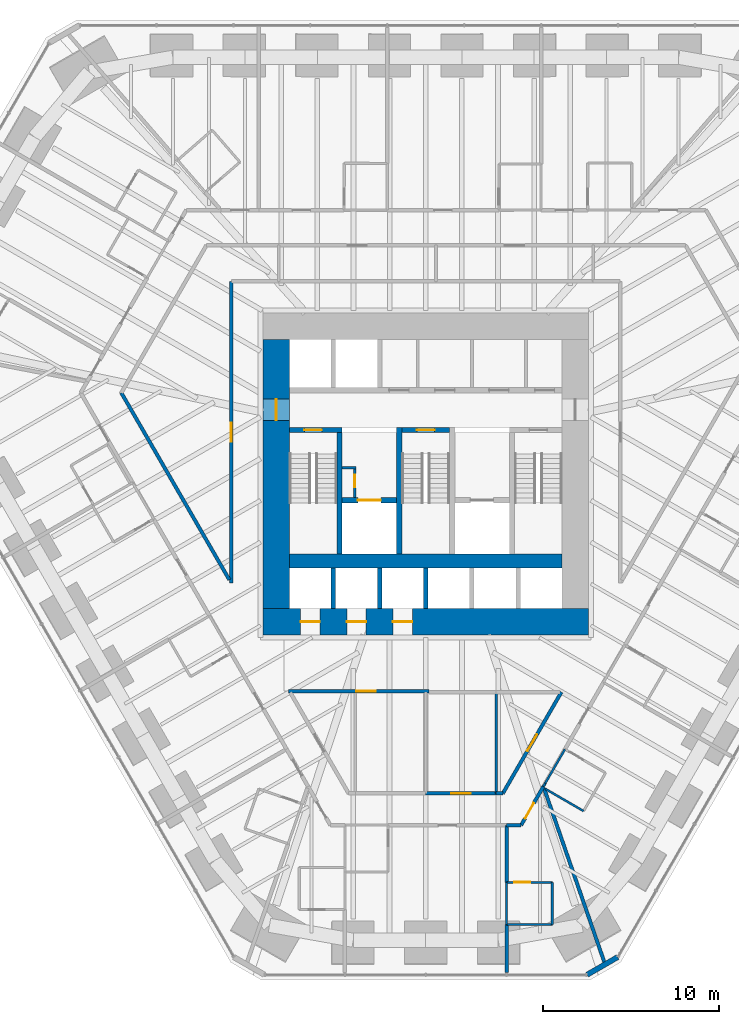
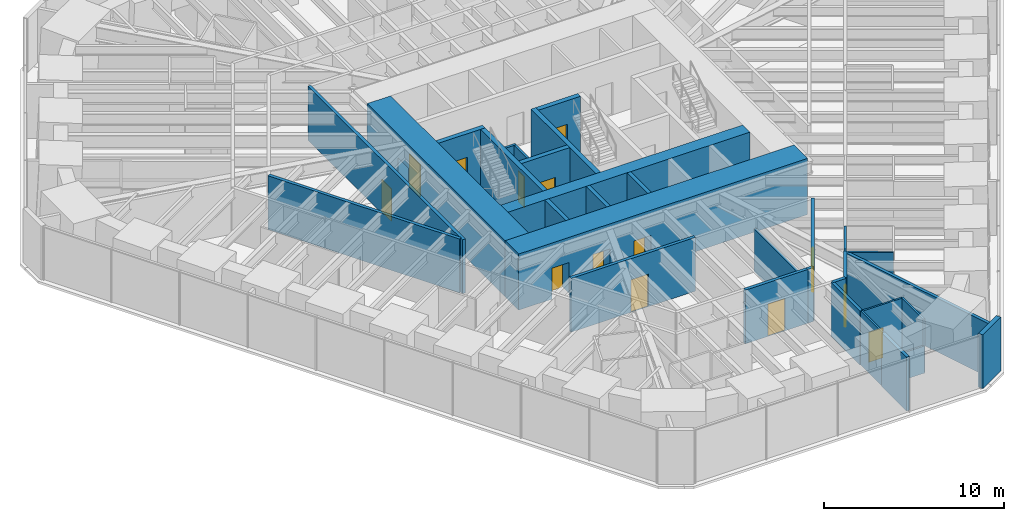
# One storey, part 12 of 17: 33 walls, 14 doors, 14 openings.
"""IFC4 building model written with IfcOpenShell, lengths in metres."""

from ifc_helpers import new_model, si_unit, direction, frame, frame_2d, origin, place, context, subcontext, project, spatial, rectangle, extrude, material, layer, layer_set, type_object, element, fill, save


model = new_model("IFC4")

# Units and contexts
model_context = context("Model", 3, precision=1e-05, world=origin(), true_north=direction((0.0, 1.0)))
body_context = subcontext(model_context, "Body", "Model", "MODEL_VIEW")
ifc_project = project(units=[si_unit("LENGTHUNIT", "METRE"), si_unit("AREAUNIT", "SQUARE_METRE"), si_unit("VOLUMEUNIT", "CUBIC_METRE"), si_unit("PLANEANGLEUNIT", "RADIAN"), si_unit("MASSUNIT", "GRAM", prefix="KILO")], contexts=[model_context])

# Site, building, storey
site_placement = place(None, origin())
site = spatial("IfcSite", under=ifc_project, at=site_placement, CompositionType="ELEMENT")
building_placement = place(site_placement, origin())
building = spatial("IfcBuilding", under=site, at=building_placement, Name="Sandreach Pilgrim Tower", CompositionType="ELEMENT")
storey_placement = place(building_placement, frame((0.0, 0.0, 68.60009765625)))
storey = spatial("IfcBuildingStorey", under=building, at=storey_placement, Name="L16", CompositionType="ELEMENT", Elevation=68.60009765625)

# Walls
ifc_material_1 = material(Name="Gypsum board on steel studs", Category="steel")
ifc_layer_1 = layer(ifc_material_1, 0.14990234375)
ifc_layer_set_1 = layer_set([ifc_layer_1], Name="Back of house wall 150")
wall_type_1 = type_object("IfcWallType", Name="Back of house wall 150", PredefinedType="PARTITIONING", material=ifc_layer_set_1)
wall_1_placement = place(storey_placement, frame((4.0, -13.949951171875, 0.0), z_axis=(0.0, 0.0, 1.0), x_axis=(0.0, -1.0, 0.0)))
element("IfcWall", 1, at=wall_1_placement, inside=storey, type_object=wall_type_1, Name="Back of house wall L16-093", PredefinedType="PARTITIONING", context=body_context, shape_type="SweptSolid", body=[
    extrude(rectangle(XDim=5.760009765625, YDim=0.14990234375, at=frame_2d((2.8798828125, 0.0))), origin(), (0.0, 0.0, 1.0), 2.8779296875),
])
ifc_material_2 = material(Name="Moisture-resistant gypsum board on steel studs", Category="steel")
ifc_layer_2 = layer(ifc_material_2, 0.1201171875)
ifc_layer_set_2 = layer_set([ifc_layer_2], Name="Bathroom partition 120")
wall_type_2 = type_object("IfcWallType", Name="Bathroom partition 120", PredefinedType="PARTITIONING", material=ifc_layer_set_2)
wall_2_placement = place(storey_placement, frame((4.590087890625, -27.159912109375, 0.0), z_axis=(0.0, 0.0, 1.0), x_axis=(0.0, 1.0, 0.0)))
element("IfcWall", 2, at=wall_2_placement, inside=storey, type_object=wall_type_2, Name="Bathroom partition L16-099", PredefinedType="PARTITIONING", context=body_context, shape_type="SweptSolid", body=[
    extrude(rectangle(XDim=2.39990234375, YDim=0.1201171875, at=frame_2d((1.199951171875, 0.0))), origin(), (0.0, 0.0, 1.0), 3.639892578125),
])
wall_3_placement = place(storey_placement, frame((4.590087890625, -27.159912109375, 0.0), z_axis=(0.0, 0.0, 1.0), x_axis=(1.0, 0.0, 0.0)))
element("IfcWall", 3, at=wall_3_placement, inside=storey, type_object=wall_type_2, Name="Bathroom partition L16-100", PredefinedType="PARTITIONING", context=body_context, shape_type="SweptSolid", body=[
    extrude(rectangle(XDim=2.599853515625, YDim=0.1201171875, at=frame_2d((1.2998046875, 0.0))), origin(), (0.0, 0.0, 1.0), 1.83984375),
])
wall_4_placement = place(storey_placement, frame((6.68994140625, -19.31005859375, 0.0), z_axis=(0.0, 0.0, 1.0), x_axis=(0.486146223419, 0.873877479659, 0.0)))
element("IfcWall", 4, at=wall_4_placement, inside=storey, type_object=wall_type_2, Name="Bathroom partition L16-108", PredefinedType="PARTITIONING", context=body_context, shape_type="SweptSolid", body=[
    extrude(rectangle(XDim=0.205810546875, YDim=0.1201171875, at=frame_2d((0.10302734375, 0.0))), origin(), (0.0, 0.0, 1.0), 3.639892578125),
])
wall_5_placement = place(storey_placement, frame((6.7900390625, -19.1298828125, 0.0), z_axis=(0.0, 0.0, 1.0), x_axis=(0.501890014208, 0.864931450254, 0.0)))
element("IfcWall", 5, at=wall_5_placement, inside=storey, type_object=wall_type_2, Name="Bathroom partition L16-109", PredefinedType="PARTITIONING", context=body_context, shape_type="SweptSolid", body=[
    extrude(rectangle(XDim=2.231201171875, YDim=0.1201171875, at=frame_2d((1.11572265625, 0.0))), origin(), (0.0, 0.0, 1.0), 3.639892578125),
])
wall_6_placement = place(storey_placement, frame((6.812255859375, -19.457763671875, 0.0), z_axis=(0.0, 0.0, 1.0), x_axis=(0.864905443987, -0.501934829397, 0.0)))
element("IfcWall", 6, at=wall_6_placement, inside=storey, type_object=wall_type_2, Name="Bathroom partition L16-110", PredefinedType="PARTITIONING", context=body_context, shape_type="SweptSolid", body=[
    extrude(rectangle(XDim=2.49462890625, YDim=0.1201171875, at=frame_2d((1.247314453125, 0.0))), origin(), (0.0, 0.0, 1.0), 3.639892578125),
])
wall_7_placement = place(storey_placement, frame((7.18994140625, -27.159912109375, 0.0), z_axis=(0.0, 0.0, 1.0), x_axis=(0.0, 1.0, 0.0)))
element("IfcWall", 7, at=wall_7_placement, inside=storey, type_object=wall_type_2, Name="Bathroom partition L16-111", PredefinedType="PARTITIONING", context=body_context, shape_type="SweptSolid", body=[
    extrude(rectangle(XDim=2.39990234375, YDim=0.1201171875, at=frame_2d((1.199951171875, 0.0))), origin(), (0.0, 0.0, 1.0), 3.639892578125),
])

# Wall, opening, door
wall_8_placement = place(storey_placement, frame((7.18994140625, -24.760009765625, 0.0), z_axis=(0.0, 0.0, 1.0), x_axis=(-1.0, 0.0, 0.0)))
wall_8 = element("IfcWall", 8, at=wall_8_placement, inside=storey, type_object=wall_type_2, Name="Bathroom partition L16-112", PredefinedType="PARTITIONING", context=body_context, shape_type="SweptSolid", body=[
    extrude(rectangle(XDim=2.599853515625, YDim=0.1201171875, at=frame_2d((1.2998046875, 0.0))), origin(), (0.0, 0.0, 1.0), 3.639892578125),
])
opening_1_placement = place(wall_8_placement, frame((1.25, 0.0, 0.0)))
opening_1 = element("IfcOpeningElement", 9, at=opening_1_placement, cuts=wall_8, Name="Opening D09-11B", PredefinedType="OPENING", context=body_context, shape_type="SweptSolid", body=[
    extrude(rectangle(XDim=0.89990234375, YDim=2.030029296875, at=frame_2d((0.449951171875, 1.01513671875))), frame((0.0, 0.06005859375, 0.0), z_axis=(0.0, -1.0, 0.0), x_axis=(1.0, 0.0, 0.0)), (0.0, 0.0, 1.0), 0.1201171875),
])
ifc_material_3 = material(Name="Timber door, steel frame", Category="steel")
door_type_1 = type_object("IfcDoorType", Name="Bathroom door", OperationType="SINGLE_SWING_LEFT", PredefinedType="DOOR", material=ifc_material_3)
door_1_placement = place(opening_1_placement, origin())
door_1 = element("IfcDoor", 10, at=door_1_placement, inside=storey, type_object=door_type_1, Name="Door 1611B", OperationType="SINGLE_SWING_RIGHT", OverallHeight=2.030029296875, OverallWidth=0.89990234375, PredefinedType="DOOR", context=body_context, shape_type="SweptSolid", body=[
    extrude(rectangle(XDim=0.89990234375, YDim=2.030029296875, at=frame_2d((0.449951171875, 1.01513671875))), frame((0.0, 0.02490234375, 0.0), z_axis=(0.0, -1.0, 0.0), x_axis=(1.0, 0.0, 0.0)), (0.0, 0.0, 1.0), 0.050048828125),
])
fill(opening_1, door_1)

# Walls
ifc_material_4 = material(Name="Concrete 10000 psi", Category="concrete")
ifc_layer_3 = layer(ifc_material_4, 0.300048828125)
ifc_layer_set_3 = layer_set([ifc_layer_3], Name="Core inner wall 300")
wall_type_3 = type_object("IfcWallType", Name="Core inner wall 300", PredefinedType="SHEAR", material=ifc_layer_set_3)
for number, where, z_axis, x_axis, name in (
    (11, (-4.89990234375, -6.10009765625, 0.0), (0.0, 0.0, 1.0), (0.0, 1.0, 0.0), "Core wall I0 L16"),
    (12, (-1.5, -6.10009765625, 0.0), (0.0, 0.0, 1.0), (0.0, 1.0, 0.0), "Core wall I1 L16"),
):
    element("IfcWall", number, at=place(storey_placement, frame(where, z_axis=z_axis, x_axis=x_axis)), inside=storey, type_object=wall_type_3, Name=name, PredefinedType="SHEAR", context=body_context, shape_type="SweptSolid", body=[
        extrude(rectangle(XDim=7.2001953125, YDim=0.300048828125, at=frame_2d((3.60009765625, 0.0))), origin(), (0.0, 0.0, 1.0), 3.7998046875),
    ])

# Wall, opening, door
wall_9_placement = place(storey_placement, frame((-7.75, 0.949951171875, 0.0), z_axis=(0.0, 0.0, 1.0), x_axis=(1.0, 0.0, 0.0)))
wall_9 = element("IfcWall", 13, at=wall_9_placement, inside=storey, type_object=wall_type_3, Name="Core wall SN1 L16", PredefinedType="SHEAR", context=body_context, shape_type="SweptSolid", body=[
    extrude(rectangle(XDim=3.0, YDim=0.300048828125, at=frame_2d((1.5, 0.0))), origin(), (0.0, 0.0, 1.0), 3.7998046875),
])
opening_2_placement = place(wall_9_placement, frame((0.85009765625, 0.0, 0.0)))
opening_2 = element("IfcOpeningElement", 14, at=opening_2_placement, cuts=wall_9, Name="Opening D10S-ST1", PredefinedType="OPENING", context=body_context, shape_type="SweptSolid", body=[
    extrude(rectangle(XDim=1.0, YDim=2.199951171875, at=frame_2d((0.5, 1.10009765625))), frame((0.0, 0.14990234375, 0.0), z_axis=(0.0, -1.0, 0.0), x_axis=(1.0, 0.0, 0.0)), (0.0, 0.0, 1.0), 0.300048828125),
])
ifc_material_5 = material(Name="Steel door and frame", Category="steel")
door_type_2 = type_object("IfcDoorType", Name="Stair door", OperationType="SINGLE_SWING_LEFT", PredefinedType="DOOR", material=ifc_material_5)
door_2_placement = place(opening_2_placement, origin())
door_2 = element("IfcDoor", 15, at=door_2_placement, inside=storey, type_object=door_type_2, Name="Stair door ST1 L16", OperationType="SINGLE_SWING_LEFT", OverallHeight=2.199951171875, OverallWidth=1.0, PredefinedType="DOOR", context=body_context, shape_type="SweptSolid", body=[
    extrude(rectangle(XDim=1.0, YDim=2.199951171875, at=frame_2d((0.5, 1.10009765625))), frame((0.0, 0.02490234375, 0.0), z_axis=(0.0, -1.0, 0.0), x_axis=(1.0, 0.0, 0.0)), (0.0, 0.0, 1.0), 0.050048828125),
])
fill(opening_2, door_2)

wall_10_placement = place(storey_placement, frame((-1.35009765625, 0.949951171875, 0.0), z_axis=(0.0, 0.0, 1.0), x_axis=(1.0, 0.0, 0.0)))
wall_10 = element("IfcWall", 16, at=wall_10_placement, inside=storey, type_object=wall_type_3, Name="Core wall SN3 L16", PredefinedType="SHEAR", context=body_context, shape_type="SweptSolid", body=[
    extrude(rectangle(XDim=2.7001953125, YDim=0.300048828125, at=frame_2d((1.35009765625, 0.0))), origin(), (0.0, 0.0, 1.0), 3.7998046875),
])
opening_3_placement = place(wall_10_placement, frame((0.85009765625, 0.0, 0.0)))
opening_3 = element("IfcOpeningElement", 17, at=opening_3_placement, cuts=wall_10, Name="Opening D10S-ST3", PredefinedType="OPENING", context=body_context, shape_type="SweptSolid", body=[
    extrude(rectangle(XDim=1.0, YDim=2.199951171875, at=frame_2d((0.5, 1.10009765625))), frame((0.0, 0.14990234375, 0.0), z_axis=(0.0, -1.0, 0.0), x_axis=(1.0, 0.0, 0.0)), (0.0, 0.0, 1.0), 0.300048828125),
])
door_3_placement = place(opening_3_placement, origin())
door_3 = element("IfcDoor", 18, at=door_3_placement, inside=storey, type_object=door_type_2, Name="Stair door ST3 L16", OperationType="SINGLE_SWING_LEFT", OverallHeight=2.199951171875, OverallWidth=1.0, PredefinedType="DOOR", context=body_context, shape_type="SweptSolid", body=[
    extrude(rectangle(XDim=1.0, YDim=2.199951171875, at=frame_2d((0.5, 1.10009765625))), frame((0.0, 0.02490234375, 0.0), z_axis=(0.0, -1.0, 0.0), x_axis=(1.0, 0.0, 0.0)), (0.0, 0.0, 1.0), 0.050048828125),
])
fill(opening_3, door_3)

wall_11_placement = place(storey_placement, frame((-4.75, -3.050048828125, 0.0), z_axis=(0.0, 0.0, 1.0), x_axis=(1.0, 0.0, 0.0)))
wall_11 = element("IfcWall", 19, at=wall_11_placement, inside=storey, type_object=wall_type_3, Name="Core wall FL1 L16", PredefinedType="SHEAR", context=body_context, shape_type="SweptSolid", body=[
    extrude(rectangle(XDim=3.10009765625, YDim=0.300048828125, at=frame_2d((1.550048828125, 0.0))), origin(), (0.0, 0.0, 1.0), 3.7998046875),
])
opening_4_placement = place(wall_11_placement, frame((0.89990234375, 0.0, 0.0)))
opening_4 = element("IfcOpeningElement", 20, at=opening_4_placement, cuts=wall_11, Name="Opening LD13", PredefinedType="OPENING", context=body_context, shape_type="SweptSolid", body=[
    extrude(rectangle(XDim=1.300048828125, YDim=2.10009765625, at=frame_2d((0.64990234375, 1.050048828125))), frame((0.0, 0.14990234375, 0.0), z_axis=(0.0, -1.0, 0.0), x_axis=(1.0, 0.0, 0.0)), (0.0, 0.0, 1.0), 0.300048828125),
])
ifc_material_6 = material(Name="Steel door and frame", Category="steel")
door_type_3 = type_object("IfcDoorType", Name="Fire service lift landing door", OperationType="DOUBLE_DOOR_SLIDING", PredefinedType="DOOR", material=ifc_material_6)
door_4_placement = place(opening_4_placement, origin())
door_4 = element("IfcDoor", 21, at=door_4_placement, inside=storey, type_object=door_type_3, Name="Lift landing door FS1 L16", OperationType="DOUBLE_DOOR_SLIDING", OverallHeight=2.10009765625, OverallWidth=1.300048828125, PredefinedType="DOOR", context=body_context, shape_type="SweptSolid", body=[
    extrude(rectangle(XDim=1.300048828125, YDim=2.10009765625, at=frame_2d((0.64990234375, 1.050048828125))), frame((0.0, 0.02490234375, 0.0), z_axis=(0.0, -1.0, 0.0), x_axis=(1.0, 0.0, 0.0)), (0.0, 0.0, 1.0), 0.050048828125),
])
fill(opening_4, door_4)

# Wall
ifc_material_7 = material(Name="Concrete 10000 psi", Category="concrete")
ifc_layer_4 = layer(ifc_material_7, 0.800048828125)
ifc_layer_set_4 = layer_set([ifc_layer_4], Name="Core mid wall 800")
wall_type_4 = type_object("IfcWallType", Name="Core mid wall 800", PredefinedType="SHEAR", material=ifc_layer_set_4)
wall_12_placement = place(storey_placement, frame((-7.75, -6.5, 0.0), z_axis=(0.0, 0.0, 1.0), x_axis=(1.0, 0.0, 0.0)))
element("IfcWall", 22, at=wall_12_placement, inside=storey, type_object=wall_type_4, Name="Core wall M L16", PredefinedType="SHEAR", context=body_context, shape_type="SweptSolid", body=[
    extrude(rectangle(XDim=15.5, YDim=0.800048828125, at=frame_2d((7.75, 0.0))), origin(), (0.0, 0.0, 1.0), 3.7998046875),
])

# Wall, openings, doors
ifc_material_8 = material(Name="Concrete 10000 psi", Category="concrete")
ifc_layer_5 = layer(ifc_material_8, 1.5)
ifc_layer_set_5 = layer_set([ifc_layer_5], Name="Core wall 1500")
wall_type_5 = type_object("IfcWallType", Name="Core wall 1500", PredefinedType="SHEAR", material=ifc_layer_set_5)
wall_13_placement = place(storey_placement, frame((-9.25, -9.949951171875, 0.0), z_axis=(0.0, 0.0, 1.0), x_axis=(1.0, 0.0, 0.0)))
wall_13 = element("IfcWall", 23, at=wall_13_placement, inside=storey, type_object=wall_type_5, Name="Core wall S L16", PredefinedType="SHEAR", context=body_context, shape_type="SweptSolid", body=[
    extrude(rectangle(XDim=18.5, YDim=1.5, at=frame_2d((9.25, 0.0))), origin(), (0.0, 0.0, 1.0), 3.7998046875),
])
opening_5_placement = place(wall_13_placement, frame((2.137451171875, 0.0, 0.0)))
opening_5 = element("IfcOpeningElement", 24, at=opening_5_placement, cuts=wall_13, Name="Opening LD11", PredefinedType="OPENING", context=body_context, shape_type="SweptSolid", body=[
    extrude(rectangle(XDim=1.10009765625, YDim=2.10009765625, at=frame_2d((0.550048828125, 1.050048828125))), frame((0.0, 0.75, 0.0), z_axis=(0.0, -1.0, 0.0), x_axis=(1.0, 0.0, 0.0)), (0.0, 0.0, 1.0), 1.5),
])
opening_6_placement = place(wall_13_placement, frame((4.762451171875, 0.0, 0.0)))
opening_6 = element("IfcOpeningElement", 25, at=opening_6_placement, cuts=wall_13, Name="Opening LD11", PredefinedType="OPENING", context=body_context, shape_type="SweptSolid", body=[
    extrude(rectangle(XDim=1.10009765625, YDim=2.10009765625, at=frame_2d((0.550048828125, 1.050048828125))), frame((0.0, 0.75, 0.0), z_axis=(0.0, -1.0, 0.0), x_axis=(1.0, 0.0, 0.0)), (0.0, 0.0, 1.0), 1.5),
])
opening_7_placement = place(wall_13_placement, frame((7.387451171875, 0.0, 0.0)))
opening_7 = element("IfcOpeningElement", 26, at=opening_7_placement, cuts=wall_13, Name="Opening LD11", PredefinedType="OPENING", context=body_context, shape_type="SweptSolid", body=[
    extrude(rectangle(XDim=1.10009765625, YDim=2.10009765625, at=frame_2d((0.550048828125, 1.050048828125))), frame((0.0, 0.75, 0.0), z_axis=(0.0, -1.0, 0.0), x_axis=(1.0, 0.0, 0.0)), (0.0, 0.0, 1.0), 1.5),
])
ifc_material_9 = material(Name="Steel door and frame", Category="steel")
door_type_4 = type_object("IfcDoorType", Name="Lift landing door", OperationType="DOUBLE_DOOR_SLIDING", PredefinedType="DOOR", material=ifc_material_9)
door_5_placement = place(opening_5_placement, origin())
door_5 = element("IfcDoor", 27, at=door_5_placement, inside=storey, type_object=door_type_4, Name="Lift landing door Z1A L16", OperationType="DOUBLE_DOOR_SLIDING", OverallHeight=2.10009765625, OverallWidth=1.10009765625, PredefinedType="DOOR", context=body_context, shape_type="SweptSolid", body=[
    extrude(rectangle(XDim=1.10009765625, YDim=2.10009765625, at=frame_2d((0.550048828125, 1.050048828125))), frame((0.0, 0.02490234375, 0.0), z_axis=(0.0, -1.0, 0.0), x_axis=(1.0, 0.0, 0.0)), (0.0, 0.0, 1.0), 0.050048828125),
])
fill(opening_5, door_5)
door_6_placement = place(opening_6_placement, origin())
door_6 = element("IfcDoor", 28, at=door_6_placement, inside=storey, type_object=door_type_4, Name="Lift landing door Z1B L16", OperationType="DOUBLE_DOOR_SLIDING", OverallHeight=2.10009765625, OverallWidth=1.10009765625, PredefinedType="DOOR", context=body_context, shape_type="SweptSolid", body=[
    extrude(rectangle(XDim=1.10009765625, YDim=2.10009765625, at=frame_2d((0.550048828125, 1.050048828125))), frame((0.0, 0.02490234375, 0.0), z_axis=(0.0, -1.0, 0.0), x_axis=(1.0, 0.0, 0.0)), (0.0, 0.0, 1.0), 0.050048828125),
])
fill(opening_6, door_6)
door_7_placement = place(opening_7_placement, origin())
door_7 = element("IfcDoor", 29, at=door_7_placement, inside=storey, type_object=door_type_4, Name="Lift landing door Z1C L16", OperationType="DOUBLE_DOOR_SLIDING", OverallHeight=2.10009765625, OverallWidth=1.10009765625, PredefinedType="DOOR", context=body_context, shape_type="SweptSolid", body=[
    extrude(rectangle(XDim=1.10009765625, YDim=2.10009765625, at=frame_2d((0.550048828125, 1.050048828125))), frame((0.0, 0.02490234375, 0.0), z_axis=(0.0, -1.0, 0.0), x_axis=(1.0, 0.0, 0.0)), (0.0, 0.0, 1.0), 0.050048828125),
])
fill(opening_7, door_7)

# Wall, opening, door
wall_14_placement = place(storey_placement, frame((-8.5, -9.199951171875, 0.0), z_axis=(0.0, 0.0, 1.0), x_axis=(0.0, 1.0, 0.0)))
wall_14 = element("IfcWall", 30, at=wall_14_placement, inside=storey, type_object=wall_type_5, Name="Core wall W L16", PredefinedType="SHEAR", context=body_context, shape_type="SweptSolid", body=[
    extrude(rectangle(XDim=15.300048828125, YDim=1.5, at=frame_2d((7.64990234375, 0.0))), origin(), (0.0, 0.0, 1.0), 3.7998046875),
])
opening_8_placement = place(wall_14_placement, frame((10.699951171875, 0.0, 0.0)))
opening_8 = element("IfcOpeningElement", 31, at=opening_8_placement, cuts=wall_14, Name="Opening D12F-W", PredefinedType="OPENING", context=body_context, shape_type="SweptSolid", body=[
    extrude(rectangle(XDim=1.199951171875, YDim=2.199951171875, at=frame_2d((0.60009765625, 1.10009765625))), frame((0.0, 0.75, 0.0), z_axis=(0.0, -1.0, 0.0), x_axis=(1.0, 0.0, 0.0)), (0.0, 0.0, 1.0), 1.5),
])
ifc_material_10 = material(Name="Steel door and frame", Category="steel")
door_type_5 = type_object("IfcDoorType", Name="Fire lobby door", OperationType="SINGLE_SWING_LEFT", PredefinedType="DOOR", material=ifc_material_10)
door_8_placement = place(opening_8_placement, origin())
door_8 = element("IfcDoor", 32, at=door_8_placement, inside=storey, type_object=door_type_5, Name="Fire service lobby door W L16", OperationType="SINGLE_SWING_RIGHT", OverallHeight=2.199951171875, OverallWidth=1.199951171875, PredefinedType="DOOR", context=body_context, shape_type="SweptSolid", body=[
    extrude(rectangle(XDim=1.199951171875, YDim=2.199951171875, at=frame_2d((0.60009765625, 1.10009765625))), frame((0.0, 0.02490234375, 0.0), z_axis=(0.0, -1.0, 0.0), x_axis=(1.0, 0.0, 0.0)), (0.0, 0.0, 1.0), 0.050048828125),
])
fill(opening_8, door_8)

# Wall
ifc_material_11 = material(Name="Gypsum board on steel studs, two layers each side", Category="steel")
ifc_layer_6 = layer(ifc_material_11, 0.199951171875)
ifc_layer_set_6 = layer_set([ifc_layer_6], Name="Corridor wall 200")
wall_type_6 = type_object("IfcWallType", Name="Corridor wall 200", PredefinedType="PARTITIONING", material=ifc_layer_set_6)
wall_15_placement = place(storey_placement, frame((-11.16015625, -7.569580078125, 0.0), z_axis=(0.0, 0.0, 1.0), x_axis=(-0.500175206663, 0.865924224537, 0.0)))
element("IfcWall", 33, at=wall_15_placement, inside=storey, type_object=wall_type_6, Name="Corridor wall L16-047", PredefinedType="PARTITIONING", context=body_context, shape_type="SweptSolid", body=[
    extrude(rectangle(XDim=12.275390625, YDim=0.199951171875, at=frame_2d((6.1376953125, 0.0))), origin(), (0.0, 0.0, 1.0), 3.639892578125),
])

# Wall, opening, door
wall_16_placement = place(storey_placement, frame((-11.050048828125, 9.39990234375, 0.0), z_axis=(0.0, 0.0, 1.0), x_axis=(0.0, -1.0, 0.0)))
wall_16 = element("IfcWall", 34, at=wall_16_placement, inside=storey, type_object=wall_type_6, Name="Corridor wall L16-049", PredefinedType="PARTITIONING", context=body_context, shape_type="SweptSolid", body=[
    extrude(rectangle(XDim=17.159912109375, YDim=0.199951171875, at=frame_2d((8.580078125, 0.0))), origin(), (0.0, 0.0, 1.0), 3.639892578125),
])
opening_9_placement = place(wall_16_placement, frame((8.030029296875, 0.0, 0.0)))
opening_9 = element("IfcOpeningElement", 35, at=opening_9_placement, cuts=wall_16, Name="Opening D11H-M01", PredefinedType="OPENING", context=body_context, shape_type="SweptSolid", body=[
    extrude(rectangle(XDim=1.10009765625, YDim=2.199951171875, at=frame_2d((0.550048828125, 1.10009765625))), frame((0.0, 0.10009765625, 0.0), z_axis=(0.0, -1.0, 0.0), x_axis=(1.0, 0.0, 0.0)), (0.0, 0.0, 1.0), 0.199951171875),
])
ifc_material_12 = material(Name="Steel door and frame", Category="steel")
door_type_6 = type_object("IfcDoorType", Name="Back of house door", OperationType="SINGLE_SWING_LEFT", PredefinedType="DOOR", material=ifc_material_12)
door_9_placement = place(opening_9_placement, origin())
door_9 = element("IfcDoor", 36, at=door_9_placement, inside=storey, type_object=door_type_6, Name="Door 16M01", OperationType="SINGLE_SWING_LEFT", OverallHeight=2.199951171875, OverallWidth=1.10009765625, PredefinedType="DOOR", context=body_context, shape_type="SweptSolid", body=[
    extrude(rectangle(XDim=1.10009765625, YDim=2.199951171875, at=frame_2d((0.550048828125, 1.10009765625))), frame((0.0, 0.02490234375, 0.0), z_axis=(0.0, -1.0, 0.0), x_axis=(1.0, 0.0, 0.0)), (0.0, 0.0, 1.0), 0.050048828125),
])
fill(opening_9, door_9)

wall_17_placement = place(storey_placement, frame((0.179931640625, -13.89990234375, 0.0), z_axis=(0.0, 0.0, 1.0), x_axis=(-1.0, 0.0, 0.0)))
wall_17 = element("IfcWall", 37, at=wall_17_placement, inside=storey, type_object=wall_type_6, Name="Corridor wall L16-088", PredefinedType="PARTITIONING", context=body_context, shape_type="SweptSolid", body=[
    extrude(rectangle(XDim=7.969970703125, YDim=0.199951171875, at=frame_2d((3.98486328125, 0.0))), origin(), (0.0, 0.0, 1.0), 3.639892578125),
])
opening_10_placement = place(wall_17_placement, frame((3.034912109375, 0.0, 0.0)))
opening_10 = element("IfcOpeningElement", 38, at=opening_10_placement, cuts=wall_17, Name="Opening D11H-S2", PredefinedType="OPENING", context=body_context, shape_type="SweptSolid", body=[
    extrude(rectangle(XDim=1.10009765625, YDim=2.199951171875, at=frame_2d((0.550048828125, 1.10009765625))), frame((0.0, 0.10009765625, 0.0), z_axis=(0.0, -1.0, 0.0), x_axis=(1.0, 0.0, 0.0)), (0.0, 0.0, 1.0), 0.199951171875),
])
door_10_placement = place(opening_10_placement, origin())
door_10 = element("IfcDoor", 39, at=door_10_placement, inside=storey, type_object=door_type_6, Name="Door 16S2", OperationType="SINGLE_SWING_LEFT", OverallHeight=2.199951171875, OverallWidth=1.10009765625, PredefinedType="DOOR", context=body_context, shape_type="SweptSolid", body=[
    extrude(rectangle(XDim=1.10009765625, YDim=2.199951171875, at=frame_2d((0.550048828125, 1.10009765625))), frame((0.0, 0.02490234375, 0.0), z_axis=(0.0, -1.0, 0.0), x_axis=(1.0, 0.0, 0.0)), (0.0, 0.0, 1.0), 0.050048828125),
])
fill(opening_10, door_10)

wall_18_placement = place(storey_placement, frame((4.0, -19.7099609375, 0.0), z_axis=(0.0, 0.0, 1.0), x_axis=(-1.0, 0.0, 0.0)))
wall_18 = element("IfcWall", 40, at=wall_18_placement, inside=storey, type_object=wall_type_6, Name="Corridor wall L16-092", PredefinedType="PARTITIONING", context=body_context, shape_type="SweptSolid", body=[
    extrude(rectangle(XDim=4.0, YDim=0.199951171875, at=frame_2d((2.0, 0.0))), origin(), (0.0, 0.0, 1.0), 3.639892578125),
])
opening_11_placement = place(wall_18_placement, frame((1.449951171875, 0.0, 0.0)))
opening_11 = element("IfcOpeningElement", 41, at=opening_11_placement, cuts=wall_18, Name="Opening D11H-S3", PredefinedType="OPENING", context=body_context, shape_type="SweptSolid", body=[
    extrude(rectangle(XDim=1.10009765625, YDim=2.199951171875, at=frame_2d((0.550048828125, 1.10009765625))), frame((0.0, 0.10009765625, 0.0), z_axis=(0.0, -1.0, 0.0), x_axis=(1.0, 0.0, 0.0)), (0.0, 0.0, 1.0), 0.199951171875),
])
door_11_placement = place(opening_11_placement, origin())
door_11 = element("IfcDoor", 42, at=door_11_placement, inside=storey, type_object=door_type_6, Name="Door 16S3", OperationType="SINGLE_SWING_LEFT", OverallHeight=2.199951171875, OverallWidth=1.10009765625, PredefinedType="DOOR", context=body_context, shape_type="SweptSolid", body=[
    extrude(rectangle(XDim=1.10009765625, YDim=2.199951171875, at=frame_2d((0.550048828125, 1.10009765625))), frame((0.0, 0.02490234375, 0.0), z_axis=(0.0, -1.0, 0.0), x_axis=(1.0, 0.0, 0.0)), (0.0, 0.0, 1.0), 0.050048828125),
])
fill(opening_11, door_11)

# Walls
wall_19_placement = place(storey_placement, frame((4.3798828125, -19.7099609375, 0.0), z_axis=(0.0, 0.0, 1.0), x_axis=(-1.0, 0.0, 0.0)))
element("IfcWall", 43, at=wall_19_placement, inside=storey, type_object=wall_type_6, Name="Corridor wall L16-097", PredefinedType="PARTITIONING", context=body_context, shape_type="SweptSolid", body=[
    extrude(rectangle(XDim=0.3798828125, YDim=0.199951171875, at=frame_2d((0.18994140625, 0.0))), origin(), (0.0, 0.0, 1.0), 3.639892578125),
])
wall_20_placement = place(storey_placement, frame((4.590087890625, -21.510009765625, 0.0), z_axis=(0.0, 0.0, 1.0), x_axis=(1.0, 0.0, 0.0)))
element("IfcWall", 44, at=wall_20_placement, inside=storey, type_object=wall_type_6, Name="Corridor wall L16-102", PredefinedType="PARTITIONING", context=body_context, shape_type="SweptSolid", body=[
    extrude(rectangle(XDim=0.829833984375, YDim=0.199951171875, at=frame_2d((0.4150390625, 0.0))), origin(), (0.0, 0.0, 1.0), 3.639892578125),
])

# Wall, opening, door
wall_21_placement = place(storey_placement, frame((5.419921875, -21.510009765625, 0.0), z_axis=(0.0, 0.0, 1.0), x_axis=(0.499963722229, 0.866046347752, 0.0)))
wall_21 = element("IfcWall", 45, at=wall_21_placement, inside=storey, type_object=wall_type_6, Name="Corridor wall L16-103", PredefinedType="PARTITIONING", context=body_context, shape_type="SweptSolid", body=[
    extrude(rectangle(XDim=2.540283203125, YDim=0.199951171875, at=frame_2d((1.27001953125, 0.0))), origin(), (0.0, 0.0, 1.0), 3.639892578125),
])
opening_12_placement = place(wall_21_placement, frame((0.449951171875, 0.0, 0.0)))
opening_12 = element("IfcOpeningElement", 46, at=opening_12_placement, cuts=wall_21, Name="Opening D10-11", PredefinedType="OPENING", context=body_context, shape_type="SweptSolid", body=[
    extrude(rectangle(XDim=1.0, YDim=2.1298828125, at=frame_2d((0.5, 1.06494140625))), frame((0.0, 0.10009765625, 0.0), z_axis=(0.0, -1.0, 0.0), x_axis=(1.0, 0.0, 0.0)), (0.0, 0.0, 1.0), 0.199951171875),
])
ifc_material_13 = material(Name="Steel door and frame", Category="steel")
door_type_7 = type_object("IfcDoorType", Name="Guest room entry door", OperationType="SINGLE_SWING_LEFT", PredefinedType="DOOR", material=ifc_material_13)
door_12_placement = place(opening_12_placement, origin())
door_12 = element("IfcDoor", 47, at=door_12_placement, inside=storey, type_object=door_type_7, Name="Door 1611", OperationType="SINGLE_SWING_LEFT", OverallHeight=2.1298828125, OverallWidth=1.0, PredefinedType="DOOR", context=body_context, shape_type="SweptSolid", body=[
    extrude(rectangle(XDim=1.0, YDim=2.1298828125, at=frame_2d((0.5, 1.06494140625))), frame((0.0, 0.02490234375, 0.0), z_axis=(0.0, -1.0, 0.0), x_axis=(1.0, 0.0, 0.0)), (0.0, 0.0, 1.0), 0.050048828125),
])
fill(opening_12, door_12)

wall_22_placement = place(storey_placement, frame((7.7099609375, -13.949951171875, 0.0), z_axis=(0.0, 0.0, 1.0), x_axis=(-0.500511113963, -0.865730110831, 0.0)))
wall_22 = element("IfcWall", 48, at=wall_22_placement, inside=storey, type_object=wall_type_6, Name="Corridor wall L16-113", PredefinedType="PARTITIONING", context=body_context, shape_type="SweptSolid", body=[
    extrude(rectangle(XDim=6.6533203125, YDim=0.199951171875, at=frame_2d((3.32666015625, 0.0))), origin(), (0.0, 0.0, 1.0), 3.639892578125),
])
opening_13_placement = place(wall_22_placement, frame((2.776611328125, 0.0, 0.0)))
opening_13 = element("IfcOpeningElement", 49, at=opening_13_placement, cuts=wall_22, Name="Opening D11H-S4", PredefinedType="OPENING", context=body_context, shape_type="SweptSolid", body=[
    extrude(rectangle(XDim=1.10009765625, YDim=2.199951171875, at=frame_2d((0.550048828125, 1.10009765625))), frame((0.0, 0.10009765625, 0.0), z_axis=(0.0, -1.0, 0.0), x_axis=(1.0, 0.0, 0.0)), (0.0, 0.0, 1.0), 0.199951171875),
])
door_13_placement = place(opening_13_placement, origin())
door_13 = element("IfcDoor", 50, at=door_13_placement, inside=storey, type_object=door_type_6, Name="Door 16S4", OperationType="SINGLE_SWING_LEFT", OverallHeight=2.199951171875, OverallWidth=1.10009765625, PredefinedType="DOOR", context=body_context, shape_type="SweptSolid", body=[
    extrude(rectangle(XDim=1.10009765625, YDim=2.199951171875, at=frame_2d((0.550048828125, 1.10009765625))), frame((0.0, 0.02490234375, 0.0), z_axis=(0.0, -1.0, 0.0), x_axis=(1.0, 0.0, 0.0)), (0.0, 0.0, 1.0), 0.050048828125),
])
fill(opening_13, door_13)

# Walls
ifc_material_14 = material(Name="Double steel stud acoustic wall, gypsum board", Category="steel")
ifc_layer_7 = layer(ifc_material_14, 0.199951171875)
ifc_layer_set_7 = layer_set([ifc_layer_7], Name="Party wall 200")
wall_type_7 = type_object("IfcWallType", Name="Party wall 200", PredefinedType="PARTITIONING", material=ifc_layer_set_7)
wall_23_placement = place(storey_placement, frame((4.590087890625, -29.889892578125, 0.0), z_axis=(0.0, 0.0, 1.0), x_axis=(0.0, 1.0, 0.0)))
element("IfcWall", 51, at=wall_23_placement, inside=storey, type_object=wall_type_7, Name="Party wall L16-098", PredefinedType="PARTITIONING", context=body_context, shape_type="SweptSolid", body=[
    extrude(rectangle(XDim=2.72998046875, YDim=0.199951171875, at=frame_2d((1.364990234375, 0.0))), origin(), (0.0, 0.0, 1.0), 3.639892578125),
])
wall_24_placement = place(storey_placement, frame((4.590087890625, -24.760009765625, 0.0), z_axis=(0.0, 0.0, 1.0), x_axis=(0.0, 1.0, 0.0)))
element("IfcWall", 52, at=wall_24_placement, inside=storey, type_object=wall_type_7, Name="Party wall L16-101", PredefinedType="PARTITIONING", context=body_context, shape_type="SweptSolid", body=[
    extrude(rectangle(XDim=3.239990234375, YDim=0.199951171875, at=frame_2d((1.6201171875, 0.0))), origin(), (0.0, 0.0, 1.0), 3.639892578125),
])
wall_25_placement = place(storey_placement, frame((10.2001953125, -29.441650390625, 0.0), z_axis=(0.0, 0.0, 1.0), x_axis=(-0.327758043269, 0.944761697505, 0.0)))
element("IfcWall", 53, at=wall_25_placement, inside=storey, type_object=wall_type_7, Name="Party wall L16-123", PredefinedType="PARTITIONING", context=body_context, shape_type="SweptSolid", body=[
    extrude(rectangle(XDim=10.6181640625, YDim=0.199951171875, at=frame_2d((5.30908203125, 0.0))), origin(), (0.0, 0.0, 1.0), 3.639892578125),
])

# Wall, opening, door
ifc_material_15 = material(Name="Gypsum shaft wall on steel studs, shaft liner board", Category="steel")
ifc_layer_8 = layer(ifc_material_15, 0.14990234375)
ifc_layer_set_8 = layer_set([ifc_layer_8], Name="Riser shaft wall 150")
wall_type_8 = type_object("IfcWallType", Name="Riser shaft wall 150", PredefinedType="PARTITIONING", material=ifc_layer_set_8)
wall_26_placement = place(storey_placement, frame((-4.02490234375, -2.89990234375, 0.0), z_axis=(0.0, 0.0, 1.0), x_axis=(0.0, 1.0, 0.0)))
wall_26 = element("IfcWall", 54, at=wall_26_placement, inside=storey, type_object=wall_type_8, Name="Riser partition L16 side", PredefinedType="PARTITIONING", context=body_context, shape_type="SweptSolid", body=[
    extrude(rectangle(XDim=1.77490234375, YDim=0.14990234375, at=frame_2d((0.887451171875, 0.0))), origin(), (0.0, 0.0, 1.0), 3.639892578125),
])
opening_14_placement = place(wall_26_placement, frame((0.60009765625, 0.0, 0.0)))
opening_14 = element("IfcOpeningElement", 55, at=opening_14_placement, cuts=wall_26, Name="Opening D07R", PredefinedType="OPENING", context=body_context, shape_type="SweptSolid", body=[
    extrude(rectangle(XDim=0.699951171875, YDim=2.10009765625, at=frame_2d((0.35009765625, 1.050048828125))), frame((0.0, 0.074951171875, 0.0), z_axis=(0.0, -1.0, 0.0), x_axis=(1.0, 0.0, 0.0)), (0.0, 0.0, 1.0), 0.14990234375),
])
ifc_material_16 = material(Name="Steel door and frame, smoke seals", Category="steel")
door_type_8 = type_object("IfcDoorType", Name="Riser access door", OperationType="SINGLE_SWING_RIGHT", PredefinedType="DOOR", material=ifc_material_16)
door_14_placement = place(opening_14_placement, origin())
door_14 = element("IfcDoor", 56, at=door_14_placement, inside=storey, type_object=door_type_8, Name="Door riser 16ER", OperationType="SINGLE_SWING_RIGHT", OverallHeight=2.10009765625, OverallWidth=0.699951171875, PredefinedType="DOOR", context=body_context, shape_type="SweptSolid", body=[
    extrude(rectangle(XDim=0.699951171875, YDim=2.10009765625, at=frame_2d((0.35009765625, 1.050048828125))), frame((0.0, 0.02490234375, 0.0), z_axis=(0.0, -1.0, 0.0), x_axis=(1.0, 0.0, 0.0)), (0.0, 0.0, 1.0), 0.050048828125),
])
fill(opening_14, door_14)

# Walls
wall_27_placement = place(storey_placement, frame((-4.75, -1.199951171875, 0.0), z_axis=(0.0, 0.0, 1.0), x_axis=(1.0, 0.0, 0.0)))
element("IfcWall", 57, at=wall_27_placement, inside=storey, type_object=wall_type_8, Name="Riser partition L16 front", PredefinedType="PARTITIONING", context=body_context, shape_type="SweptSolid", body=[
    extrude(rectangle(XDim=0.800048828125, YDim=0.14990234375, at=frame_2d((0.39990234375, 0.0))), origin(), (0.0, 0.0, 1.0), 3.639892578125),
])
ifc_material_17 = material(Name="Gypsum shaft wall on steel studs, two layers of shaft liner board", Category="steel")
ifc_layer_9 = layer(ifc_material_17, 0.25)
ifc_layer_set_9 = layer_set([ifc_layer_9], Name="Shaft partition 250")
wall_type_9 = type_object("IfcWallType", Name="Shaft partition 250", PredefinedType="PARTITIONING", material=ifc_layer_set_9)
for number, where, z_axis, x_axis, name in (
    (58, (-5.25, -9.199951171875, 0.0), (0.0, 0.0, 1.0), (0.0, 1.0, 0.0), "Shaft partition XS0 L16"),
    (59, (-2.625, -9.199951171875, 0.0), (0.0, 0.0, 1.0), (0.0, 1.0, 0.0), "Shaft partition XS1 L16"),
    (60, (0.0, -9.199951171875, 0.0), (0.0, 0.0, 1.0), (0.0, 1.0, 0.0), "Shaft partition XS2 L16"),
):
    element("IfcWall", number, at=place(storey_placement, frame(where, z_axis=z_axis, x_axis=x_axis)), inside=storey, type_object=wall_type_9, Name=name, PredefinedType="PARTITIONING", context=body_context, shape_type="SweptSolid", body=[
        extrude(rectangle(XDim=2.300048828125, YDim=0.25, at=frame_2d((1.14990234375, 0.0))), origin(), (0.0, 0.0, 1.0), 3.7998046875),
    ])
ifc_material_18 = material(Name="Terracotta rainscreen on concrete", Category="masonry")
ifc_layer_10 = layer(ifc_material_18, 0.300048828125)
ifc_layer_set_10 = layer_set([ifc_layer_10], Name="Terracotta chamfer pier")
wall_type_10 = type_object("IfcWallType", Name="Terracotta chamfer pier", PredefinedType="SOLIDWALL", material=ifc_layer_set_10)
wall_28_placement = place(storey_placement, frame((10.904052734375, -29.010986328125, 0.0), z_axis=(0.0, 0.0, 1.0), x_axis=(-0.866010750942, -0.50002537861, 0.0)))
element("IfcWall", 61, at=wall_28_placement, inside=storey, type_object=wall_type_10, Name="Chamfer pier L16 SE", PredefinedType="SOLIDWALL", context=body_context, shape_type="SweptSolid", body=[
    extrude(rectangle(XDim=2.0, YDim=0.300048828125, at=frame_2d((1.0, 0.0))), origin(), (0.0, 0.0, 1.0), 3.639892578125),
])

save(model, "model.ifc")
